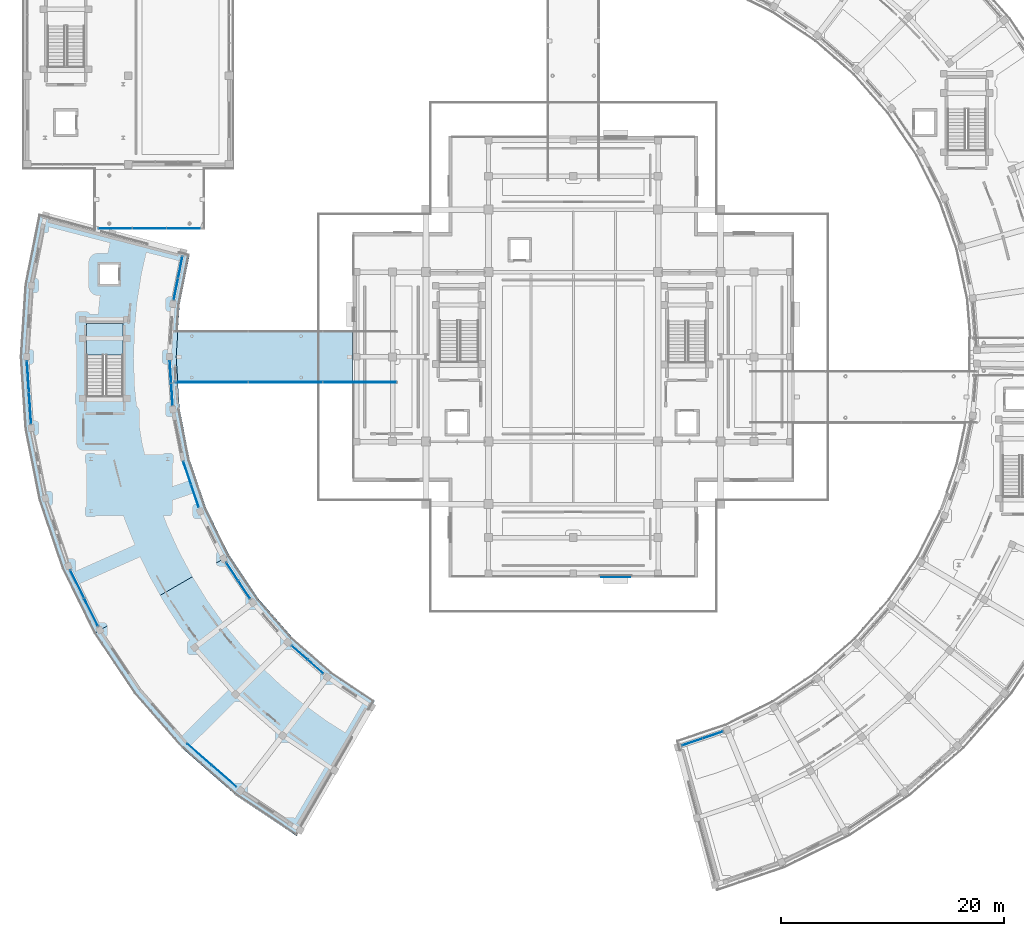
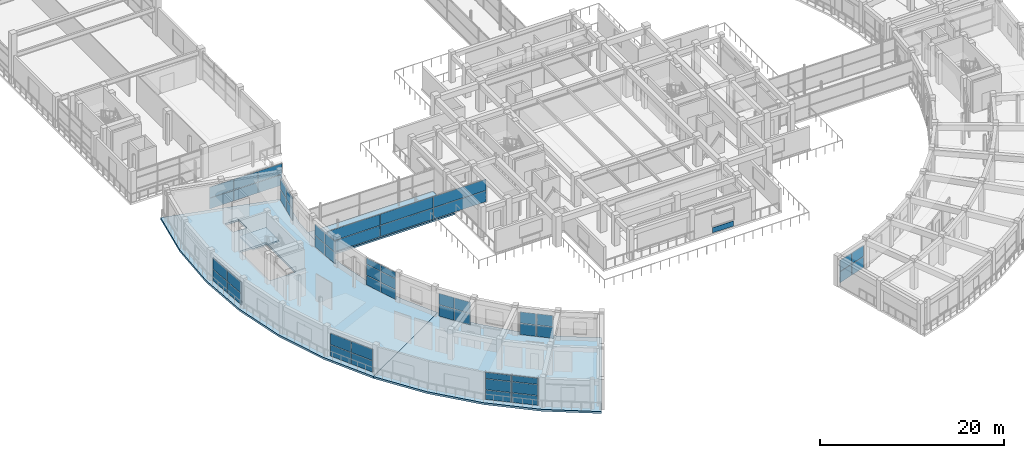
# One storey, part 38 of 72: 53 plates, 4 slabs, 12 elements without a shape of their own.
"""IFC4 building model written with IfcOpenShell, lengths in metres."""

from ifc_helpers import new_model, si_unit, direction, frame, origin, origin_2d, place, context, subcontext, project, spatial, polyline, rectangle, outline, extrude, material, layer, layer_set, type_object, element, aggregate, save


model = new_model("IFC4")

# Units and contexts
model_context = context("Model", 3, precision=1e-05, world=origin(), true_north=direction((0.0, 1.0)))
body_context = subcontext(model_context, "Body", "Model", "MODEL_VIEW")
ifc_project = project(units=[si_unit("LENGTHUNIT", "METRE"), si_unit("AREAUNIT", "SQUARE_METRE"), si_unit("VOLUMEUNIT", "CUBIC_METRE"), si_unit("PLANEANGLEUNIT", "RADIAN"), si_unit("MASSUNIT", "GRAM", prefix="KILO")], contexts=[model_context])

# Site, building, storey
site_placement = place(None, origin())
site = spatial("IfcSite", under=ifc_project, at=site_placement, CompositionType="ELEMENT")
building_placement = place(site_placement, origin())
building = spatial("IfcBuilding", under=site, at=building_placement, Name="Saryqyr Civic Hall", CompositionType="ELEMENT")
storey_placement = place(building_placement, frame((0.0, 0.0, 17.25)))
storey = spatial("IfcBuildingStorey", under=building, at=storey_placement, Name="L04", CompositionType="ELEMENT", Elevation=17.25)

# Curtain wall, plates
ifc_material_1 = material(Name="Anodised aluminium and triple low-E glass", Category="aluminium")
curtain_wall_type_1 = type_object("IfcCurtainWallType", Name="ENV-CW-STD-13", PredefinedType="NOTDEFINED", material=ifc_material_1)
curtain_wall_1_placement = place(storey_placement, origin())
curtain_wall_1 = element("IfcCurtainWall", 1, at=curtain_wall_1_placement, inside=storey, type_object=curtain_wall_type_1, Name="Curtain wall V4-CWI-L04-00", PredefinedType="NOTDEFINED")
ifc_material_2 = material(Name="Triple low-E insulated glazing", Category="glass")
ifc_layer_1 = layer(ifc_material_2, 0.053955078125, Name="Triple low-E insulated glazing")
ifc_layer_set_1 = layer_set([ifc_layer_1], Name="Triple low-E insulated glazing")
plate_type_1 = type_object("IfcPlateType", Name="ENV-CW-PNL-38", PredefinedType="CURTAIN_PANEL", material=ifc_layer_set_1)
plate_1_placement = place(storey_placement, frame((21.765869140625, 92.0234375, 0.06005859375), z_axis=(0.0, 0.0, 1.0), x_axis=(-0.195107360697, -0.980781891045, 0.0)))
plate_1 = element("IfcPlate", 2, at=plate_1_placement, type_object=plate_type_1, Name="CW-13 panel 1.1", PredefinedType="CURTAIN_PANEL", context=body_context, shape_type="SweptSolid", body=[
    extrude(rectangle(XDim=1.930908203125, YDim=0.053955078125, at=origin_2d()), origin(), (0.0, 0.0, 1.0), 1.47705078125),
])
plate_2_placement = place(storey_placement, frame((21.765869140625, 92.0234375, 1.596923828125), z_axis=(0.0, 0.0, 1.0), x_axis=(-0.195107360697, -0.980781891045, 0.0)))
plate_2 = element("IfcPlate", 3, at=plate_2_placement, type_object=plate_type_1, Name="CW-13 panel 1.2", PredefinedType="CURTAIN_PANEL", context=body_context, shape_type="SweptSolid", body=[
    extrude(rectangle(XDim=1.930908203125, YDim=0.053955078125, at=origin_2d()), origin(), (0.0, 0.0, 1.0), 1.47802734375),
])
plate_3_placement = place(storey_placement, frame((21.37744140625, 90.07080078125, 0.06005859375), z_axis=(0.0, 0.0, 1.0), x_axis=(-0.195107360697, -0.980781891045, 0.0)))
plate_3 = element("IfcPlate", 4, at=plate_3_placement, type_object=plate_type_1, Name="CW-13 panel 2.1", PredefinedType="CURTAIN_PANEL", context=body_context, shape_type="SweptSolid", body=[
    extrude(rectangle(XDim=1.930908203125, YDim=0.053955078125, at=origin_2d()), origin(), (0.0, 0.0, 1.0), 1.47705078125),
])
plate_4_placement = place(storey_placement, frame((21.37744140625, 90.07080078125, 1.596923828125), z_axis=(0.0, 0.0, 1.0), x_axis=(-0.195107360697, -0.980781891045, 0.0)))
plate_4 = element("IfcPlate", 5, at=plate_4_placement, type_object=plate_type_1, Name="CW-13 panel 2.2", PredefinedType="CURTAIN_PANEL", context=body_context, shape_type="SweptSolid", body=[
    extrude(rectangle(XDim=1.930908203125, YDim=0.053955078125, at=origin_2d()), origin(), (0.0, 0.0, 1.0), 1.47802734375),
])
aggregate(curtain_wall_1, [plate_1, plate_2, plate_3, plate_4])

curtain_wall_type_2 = type_object("IfcCurtainWallType", Name="ENV-CW-STD-31", PredefinedType="NOTDEFINED", material=ifc_material_1)
curtain_wall_2_placement = place(storey_placement, origin())
curtain_wall_2 = element("IfcCurtainWall", 6, at=curtain_wall_2_placement, inside=storey, type_object=curtain_wall_type_2, Name="Curtain wall V4-CWO-L04-02", PredefinedType="NOTDEFINED")
plate_5_placement = place(storey_placement, frame((8.30224609375, 79.38818359375, 0.06005859375), z_axis=(0.0, 0.0, 1.0), x_axis=(-0.06539733631, 0.99785930291, 0.0)))
plate_5 = element("IfcPlate", 7, at=plate_5_placement, type_object=plate_type_1, Name="CW-31 panel 1.1", PredefinedType="CURTAIN_PANEL", context=body_context, shape_type="SweptSolid", body=[
    extrude(rectangle(XDim=2.77392578125, YDim=0.053955078125, at=origin_2d()), origin(), (0.0, 0.0, 1.0), 1.47705078125),
])
plate_6_placement = place(storey_placement, frame((8.30224609375, 79.38818359375, 1.596923828125), z_axis=(0.0, 0.0, 1.0), x_axis=(-0.06539733631, 0.99785930291, 0.0)))
plate_6 = element("IfcPlate", 8, at=plate_6_placement, type_object=plate_type_1, Name="CW-31 panel 1.2", PredefinedType="CURTAIN_PANEL", context=body_context, shape_type="SweptSolid", body=[
    extrude(rectangle(XDim=2.77392578125, YDim=0.053955078125, at=origin_2d()), origin(), (0.0, 0.0, 1.0), 1.47802734375),
])
plate_7_placement = place(storey_placement, frame((8.116943359375, 82.216064453125, 0.06005859375), z_axis=(0.0, 0.0, 1.0), x_axis=(-0.06539733631, 0.99785930291, 0.0)))
plate_7 = element("IfcPlate", 9, at=plate_7_placement, type_object=plate_type_1, Name="CW-31 panel 2.1", PredefinedType="CURTAIN_PANEL", context=body_context, shape_type="SweptSolid", body=[
    extrude(rectangle(XDim=2.77392578125, YDim=0.053955078125, at=origin_2d()), origin(), (0.0, 0.0, 1.0), 1.47705078125),
])
plate_8_placement = place(storey_placement, frame((8.116943359375, 82.216064453125, 1.596923828125), z_axis=(0.0, 0.0, 1.0), x_axis=(-0.06539733631, 0.99785930291, 0.0)))
plate_8 = element("IfcPlate", 10, at=plate_8_placement, type_object=plate_type_1, Name="CW-31 panel 2.2", PredefinedType="CURTAIN_PANEL", context=body_context, shape_type="SweptSolid", body=[
    extrude(rectangle(XDim=2.77392578125, YDim=0.053955078125, at=origin_2d()), origin(), (0.0, 0.0, 1.0), 1.47802734375),
])
aggregate(curtain_wall_2, [plate_5, plate_6, plate_7, plate_8])

curtain_wall_3_placement = place(storey_placement, origin())
curtain_wall_3 = element("IfcCurtainWall", 11, at=curtain_wall_3_placement, inside=storey, type_object=curtain_wall_type_1, Name="Curtain wall V4-CWI-L04-02", PredefinedType="NOTDEFINED")
plate_9_placement = place(storey_placement, frame((20.8896484375, 82.6337890625, 0.06005859375), z_axis=(0.0, 0.0, 1.0), x_axis=(0.065397404214, -0.997859298459, 0.0)))
plate_9 = element("IfcPlate", 12, at=plate_9_placement, type_object=plate_type_1, Name="CW-13 panel 1.1", PredefinedType="CURTAIN_PANEL", context=body_context, shape_type="SweptSolid", body=[
    extrude(rectangle(XDim=1.936767578125, YDim=0.053955078125, at=origin_2d()), origin(), (0.0, 0.0, 1.0), 1.47705078125),
])
plate_10_placement = place(storey_placement, frame((20.8896484375, 82.6337890625, 1.596923828125), z_axis=(0.0, 0.0, 1.0), x_axis=(0.065397404214, -0.997859298459, 0.0)))
plate_10 = element("IfcPlate", 13, at=plate_10_placement, type_object=plate_type_1, Name="CW-13 panel 1.2", PredefinedType="CURTAIN_PANEL", context=body_context, shape_type="SweptSolid", body=[
    extrude(rectangle(XDim=1.936767578125, YDim=0.053955078125, at=origin_2d()), origin(), (0.0, 0.0, 1.0), 1.47802734375),
])
plate_11_placement = place(storey_placement, frame((21.020263671875, 80.64111328125, 0.06005859375), z_axis=(0.0, 0.0, 1.0), x_axis=(0.065397404214, -0.997859298459, 0.0)))
plate_11 = element("IfcPlate", 14, at=plate_11_placement, type_object=plate_type_1, Name="CW-13 panel 2.1", PredefinedType="CURTAIN_PANEL", context=body_context, shape_type="SweptSolid", body=[
    extrude(rectangle(XDim=1.936767578125, YDim=0.053955078125, at=origin_2d()), origin(), (0.0, 0.0, 1.0), 1.47705078125),
])
plate_12_placement = place(storey_placement, frame((21.020263671875, 80.64111328125, 1.596923828125), z_axis=(0.0, 0.0, 1.0), x_axis=(0.065397404214, -0.997859298459, 0.0)))
plate_12 = element("IfcPlate", 15, at=plate_12_placement, type_object=plate_type_1, Name="CW-13 panel 2.2", PredefinedType="CURTAIN_PANEL", context=body_context, shape_type="SweptSolid", body=[
    extrude(rectangle(XDim=1.936767578125, YDim=0.053955078125, at=origin_2d()), origin(), (0.0, 0.0, 1.0), 1.47802734375),
])
aggregate(curtain_wall_3, [plate_9, plate_10, plate_11, plate_12])

curtain_wall_type_3 = type_object("IfcCurtainWallType", Name="ENV-CW-STD-24", PredefinedType="NOTDEFINED", material=ifc_material_1)
curtain_wall_4_placement = place(storey_placement, origin())
curtain_wall_4 = element("IfcCurtainWall", 16, at=curtain_wall_4_placement, inside=storey, type_object=curtain_wall_type_3, Name="Curtain wall V4-CWI-L04-04", PredefinedType="NOTDEFINED")
plate_13_placement = place(storey_placement, frame((22.389892578125, 73.58056640625, 0.06005859375), z_axis=(0.0, 0.0, 1.0), x_axis=(0.321446738583, -0.946927660518, 0.0)))
plate_13 = element("IfcPlate", 17, at=plate_13_placement, type_object=plate_type_1, Name="CW-24 panel 1.1", PredefinedType="CURTAIN_PANEL", context=body_context, shape_type="SweptSolid", body=[
    extrude(rectangle(XDim=2.09814453125, YDim=0.053955078125, at=origin_2d()), origin(), (0.0, 0.0, 1.0), 1.241943359375),
])
plate_14_placement = place(storey_placement, frame((22.389892578125, 73.58056640625, 1.362060546875), z_axis=(0.0, 0.0, 1.0), x_axis=(0.321446738583, -0.946927660518, 0.0)))
plate_14 = element("IfcPlate", 18, at=plate_14_placement, type_object=plate_type_1, Name="CW-24 panel 1.2", PredefinedType="CURTAIN_PANEL", context=body_context, shape_type="SweptSolid", body=[
    extrude(rectangle(XDim=2.09814453125, YDim=0.053955078125, at=origin_2d()), origin(), (0.0, 0.0, 1.0), 1.419921875),
])
plate_15_placement = place(storey_placement, frame((22.389892578125, 73.58056640625, 2.841796875), z_axis=(0.0, 0.0, 1.0), x_axis=(0.321446738583, -0.946927660518, 0.0)))
plate_15 = element("IfcPlate", 19, at=plate_15_placement, type_object=plate_type_1, Name="CW-24 panel 1.3", PredefinedType="CURTAIN_PANEL", context=body_context, shape_type="SweptSolid", body=[
    extrude(rectangle(XDim=2.09814453125, YDim=0.053955078125, at=origin_2d()), origin(), (0.0, 0.0, 1.0), 0.798095703125),
])
plate_16_placement = place(storey_placement, frame((23.083740234375, 71.537109375, 0.06005859375), z_axis=(0.0, 0.0, 1.0), x_axis=(0.321446738583, -0.946927660518, 0.0)))
plate_16 = element("IfcPlate", 20, at=plate_16_placement, type_object=plate_type_1, Name="CW-24 panel 2.1", PredefinedType="CURTAIN_PANEL", context=body_context, shape_type="SweptSolid", body=[
    extrude(rectangle(XDim=2.09814453125, YDim=0.053955078125, at=origin_2d()), origin(), (0.0, 0.0, 1.0), 1.241943359375),
])
plate_17_placement = place(storey_placement, frame((23.083740234375, 71.537109375, 1.362060546875), z_axis=(0.0, 0.0, 1.0), x_axis=(0.321446738583, -0.946927660518, 0.0)))
plate_17 = element("IfcPlate", 21, at=plate_17_placement, type_object=plate_type_1, Name="CW-24 panel 2.2", PredefinedType="CURTAIN_PANEL", context=body_context, shape_type="SweptSolid", body=[
    extrude(rectangle(XDim=2.09814453125, YDim=0.053955078125, at=origin_2d()), origin(), (0.0, 0.0, 1.0), 1.419921875),
])
plate_18_placement = place(storey_placement, frame((23.083740234375, 71.537109375, 2.841796875), z_axis=(0.0, 0.0, 1.0), x_axis=(0.321446738583, -0.946927660518, 0.0)))
plate_18 = element("IfcPlate", 22, at=plate_18_placement, type_object=plate_type_1, Name="CW-24 panel 2.3", PredefinedType="CURTAIN_PANEL", context=body_context, shape_type="SweptSolid", body=[
    extrude(rectangle(XDim=2.09814453125, YDim=0.053955078125, at=origin_2d()), origin(), (0.0, 0.0, 1.0), 0.798095703125),
])
aggregate(curtain_wall_4, [plate_13, plate_14, plate_15, plate_16, plate_17, plate_18])

curtain_wall_type_4 = type_object("IfcCurtainWallType", Name="ENV-CW-STD-14", PredefinedType="NOTDEFINED", material=ifc_material_1)
curtain_wall_5_placement = place(storey_placement, origin())
curtain_wall_5 = element("IfcCurtainWall", 23, at=curtain_wall_5_placement, inside=storey, type_object=curtain_wall_type_4, Name="Curtain wall V4-CWO-L04-05", PredefinedType="NOTDEFINED")
plate_19_placement = place(storey_placement, frame((13.765625, 61.12060546875, 0.06005859375), z_axis=(0.0, 0.0, 1.0), x_axis=(-0.442287609634, 0.896873274417, 0.0)))
plate_19 = element("IfcPlate", 24, at=plate_19_placement, type_object=plate_type_1, Name="CW-14 panel 1.1", PredefinedType="CURTAIN_PANEL", context=body_context, shape_type="SweptSolid", body=[
    extrude(rectangle(XDim=2.735595703125, YDim=0.053955078125, at=origin_2d()), origin(), (0.0, 0.0, 1.0), 1.47705078125),
])
plate_20_placement = place(storey_placement, frame((13.765625, 61.12060546875, 1.596923828125), z_axis=(0.0, 0.0, 1.0), x_axis=(-0.442287609634, 0.896873274417, 0.0)))
plate_20 = element("IfcPlate", 25, at=plate_20_placement, type_object=plate_type_1, Name="CW-14 panel 1.2", PredefinedType="CURTAIN_PANEL", context=body_context, shape_type="SweptSolid", body=[
    extrude(rectangle(XDim=2.735595703125, YDim=0.053955078125, at=origin_2d()), origin(), (0.0, 0.0, 1.0), 1.47802734375),
])
plate_21_placement = place(storey_placement, frame((12.529052734375, 63.6279296875, 0.06005859375), z_axis=(0.0, 0.0, 1.0), x_axis=(-0.442287609634, 0.896873274417, 0.0)))
plate_21 = element("IfcPlate", 26, at=plate_21_placement, type_object=plate_type_1, Name="CW-14 panel 2.1", PredefinedType="CURTAIN_PANEL", context=body_context, shape_type="SweptSolid", body=[
    extrude(rectangle(XDim=2.735595703125, YDim=0.053955078125, at=origin_2d()), origin(), (0.0, 0.0, 1.0), 1.47705078125),
])
plate_22_placement = place(storey_placement, frame((12.529052734375, 63.6279296875, 1.596923828125), z_axis=(0.0, 0.0, 1.0), x_axis=(-0.442287609634, 0.896873274417, 0.0)))
plate_22 = element("IfcPlate", 27, at=plate_22_placement, type_object=plate_type_1, Name="CW-14 panel 2.2", PredefinedType="CURTAIN_PANEL", context=body_context, shape_type="SweptSolid", body=[
    extrude(rectangle(XDim=2.735595703125, YDim=0.053955078125, at=origin_2d()), origin(), (0.0, 0.0, 1.0), 1.47802734375),
])
aggregate(curtain_wall_5, [plate_19, plate_20, plate_21, plate_22])

curtain_wall_type_5 = type_object("IfcCurtainWallType", Name="ENV-CW-STD-17", PredefinedType="NOTDEFINED", material=ifc_material_1)
curtain_wall_6_placement = place(storey_placement, origin())
curtain_wall_6 = element("IfcCurtainWall", 28, at=curtain_wall_6_placement, inside=storey, type_object=curtain_wall_type_5, Name="Curtain wall V4-CWI-L04-06", PredefinedType="NOTDEFINED")
plate_23_placement = place(storey_placement, frame((26.429443359375, 64.733154296875, 0.06005859375), z_axis=(0.0, 0.0, 1.0), x_axis=(0.555554091972, -0.831480397179, 0.0)))
plate_23 = element("IfcPlate", 29, at=plate_23_placement, type_object=plate_type_1, Name="CW-17 panel 1.1", PredefinedType="CURTAIN_PANEL", context=body_context, shape_type="SweptSolid", body=[
    extrude(rectangle(XDim=1.86865234375, YDim=0.053955078125, at=origin_2d()), origin(), (0.0, 0.0, 1.0), 1.47705078125),
])
plate_24_placement = place(storey_placement, frame((26.429443359375, 64.733154296875, 1.596923828125), z_axis=(0.0, 0.0, 1.0), x_axis=(0.555554091972, -0.831480397179, 0.0)))
plate_24 = element("IfcPlate", 30, at=plate_24_placement, type_object=plate_type_1, Name="CW-17 panel 1.2", PredefinedType="CURTAIN_PANEL", context=body_context, shape_type="SweptSolid", body=[
    extrude(rectangle(XDim=1.86865234375, YDim=0.053955078125, at=origin_2d()), origin(), (0.0, 0.0, 1.0), 1.47802734375),
])
plate_25_placement = place(storey_placement, frame((27.5009765625, 63.129638671875, 0.06005859375), z_axis=(0.0, 0.0, 1.0), x_axis=(0.555554091972, -0.831480397179, 0.0)))
plate_25 = element("IfcPlate", 31, at=plate_25_placement, type_object=plate_type_1, Name="CW-17 panel 2.1", PredefinedType="CURTAIN_PANEL", context=body_context, shape_type="SweptSolid", body=[
    extrude(rectangle(XDim=1.86865234375, YDim=0.053955078125, at=origin_2d()), origin(), (0.0, 0.0, 1.0), 1.47705078125),
])
plate_26_placement = place(storey_placement, frame((27.5009765625, 63.129638671875, 1.596923828125), z_axis=(0.0, 0.0, 1.0), x_axis=(0.555554091972, -0.831480397179, 0.0)))
plate_26 = element("IfcPlate", 32, at=plate_26_placement, type_object=plate_type_1, Name="CW-17 panel 2.2", PredefinedType="CURTAIN_PANEL", context=body_context, shape_type="SweptSolid", body=[
    extrude(rectangle(XDim=1.86865234375, YDim=0.053955078125, at=origin_2d()), origin(), (0.0, 0.0, 1.0), 1.47802734375),
])
aggregate(curtain_wall_6, [plate_23, plate_24, plate_25, plate_26])

curtain_wall_type_6 = type_object("IfcCurtainWallType", Name="ENV-CW-STD-29", PredefinedType="NOTDEFINED", material=ifc_material_1)
curtain_wall_7_placement = place(storey_placement, origin())
curtain_wall_7 = element("IfcCurtainWall", 33, at=curtain_wall_7_placement, inside=storey, type_object=curtain_wall_type_6, Name="Curtain wall V4-CWO-L04-08", PredefinedType="NOTDEFINED")
plate_27_placement = place(storey_placement, frame((25.69970703125, 46.415771484375, 0.06005859375), z_axis=(0.0, 0.0, 1.0), x_axis=(-0.751838965364, 0.659346775347, 0.0)))
plate_27 = element("IfcPlate", 34, at=plate_27_placement, type_object=plate_type_1, Name="CW-29 panel 1.1", PredefinedType="CURTAIN_PANEL", context=body_context, shape_type="SweptSolid", body=[
    extrude(rectangle(XDim=2.888671875, YDim=0.053955078125, at=origin_2d()), origin(), (0.0, 0.0, 1.0), 1.241943359375),
])
plate_28_placement = place(storey_placement, frame((25.69970703125, 46.415771484375, 1.362060546875), z_axis=(0.0, 0.0, 1.0), x_axis=(-0.751838965364, 0.659346775347, 0.0)))
plate_28 = element("IfcPlate", 35, at=plate_28_placement, type_object=plate_type_1, Name="CW-29 panel 1.2", PredefinedType="CURTAIN_PANEL", context=body_context, shape_type="SweptSolid", body=[
    extrude(rectangle(XDim=2.888671875, YDim=0.053955078125, at=origin_2d()), origin(), (0.0, 0.0, 1.0), 1.419921875),
])
plate_29_placement = place(storey_placement, frame((25.69970703125, 46.415771484375, 2.841796875), z_axis=(0.0, 0.0, 1.0), x_axis=(-0.751838965364, 0.659346775347, 0.0)))
plate_29 = element("IfcPlate", 36, at=plate_29_placement, type_object=plate_type_1, Name="CW-29 panel 1.3", PredefinedType="CURTAIN_PANEL", context=body_context, shape_type="SweptSolid", body=[
    extrude(rectangle(XDim=2.888671875, YDim=0.053955078125, at=origin_2d()), origin(), (0.0, 0.0, 1.0), 0.798095703125),
])
plate_30_placement = place(storey_placement, frame((23.48291015625, 48.35986328125, 0.06005859375), z_axis=(0.0, 0.0, 1.0), x_axis=(-0.751838965364, 0.659346775347, 0.0)))
plate_30 = element("IfcPlate", 37, at=plate_30_placement, type_object=plate_type_1, Name="CW-29 panel 2.1", PredefinedType="CURTAIN_PANEL", context=body_context, shape_type="SweptSolid", body=[
    extrude(rectangle(XDim=2.888671875, YDim=0.053955078125, at=origin_2d()), origin(), (0.0, 0.0, 1.0), 1.241943359375),
])
plate_31_placement = place(storey_placement, frame((23.48291015625, 48.35986328125, 1.362060546875), z_axis=(0.0, 0.0, 1.0), x_axis=(-0.751838965364, 0.659346775347, 0.0)))
plate_31 = element("IfcPlate", 38, at=plate_31_placement, type_object=plate_type_1, Name="CW-29 panel 2.2", PredefinedType="CURTAIN_PANEL", context=body_context, shape_type="SweptSolid", body=[
    extrude(rectangle(XDim=2.888671875, YDim=0.053955078125, at=origin_2d()), origin(), (0.0, 0.0, 1.0), 1.419921875),
])
plate_32_placement = place(storey_placement, frame((23.48291015625, 48.35986328125, 2.841796875), z_axis=(0.0, 0.0, 1.0), x_axis=(-0.751838965364, 0.659346775347, 0.0)))
plate_32 = element("IfcPlate", 39, at=plate_32_placement, type_object=plate_type_1, Name="CW-29 panel 2.3", PredefinedType="CURTAIN_PANEL", context=body_context, shape_type="SweptSolid", body=[
    extrude(rectangle(XDim=2.888671875, YDim=0.053955078125, at=origin_2d()), origin(), (0.0, 0.0, 1.0), 0.798095703125),
])
aggregate(curtain_wall_7, [plate_27, plate_28, plate_29, plate_30, plate_31, plate_32])

curtain_wall_type_7 = type_object("IfcCurtainWallType", Name="ENV-CW-STD-20", PredefinedType="NOTDEFINED", material=ifc_material_1)
curtain_wall_8_placement = place(storey_placement, origin())
curtain_wall_8 = element("IfcCurtainWall", 40, at=curtain_wall_8_placement, inside=storey, type_object=curtain_wall_type_7, Name="Curtain wall V4-CWI-L04-08", PredefinedType="NOTDEFINED")
plate_33_placement = place(storey_placement, frame((32.47412109375, 57.463134765625, 0.06005859375), z_axis=(0.0, 0.0, 1.0), x_axis=(0.751850148543, -0.65933402319, 0.0)))
plate_33 = element("IfcPlate", 41, at=plate_33_placement, type_object=plate_type_1, Name="CW-20 panel 1.1", PredefinedType="CURTAIN_PANEL", context=body_context, shape_type="SweptSolid", body=[
    extrude(rectangle(XDim=1.825439453125, YDim=0.053955078125, at=origin_2d()), origin(), (0.0, 0.0, 1.0), 1.47705078125),
])
plate_34_placement = place(storey_placement, frame((32.47412109375, 57.463134765625, 1.596923828125), z_axis=(0.0, 0.0, 1.0), x_axis=(0.751850148543, -0.65933402319, 0.0)))
plate_34 = element("IfcPlate", 42, at=plate_34_placement, type_object=plate_type_1, Name="CW-20 panel 1.2", PredefinedType="CURTAIN_PANEL", context=body_context, shape_type="SweptSolid", body=[
    extrude(rectangle(XDim=1.825439453125, YDim=0.053955078125, at=origin_2d()), origin(), (0.0, 0.0, 1.0), 1.47802734375),
])
plate_35_placement = place(storey_placement, frame((33.8916015625, 56.22021484375, 0.06005859375), z_axis=(0.0, 0.0, 1.0), x_axis=(0.751850148543, -0.65933402319, 0.0)))
plate_35 = element("IfcPlate", 43, at=plate_35_placement, type_object=plate_type_1, Name="CW-20 panel 2.1", PredefinedType="CURTAIN_PANEL", context=body_context, shape_type="SweptSolid", body=[
    extrude(rectangle(XDim=1.825439453125, YDim=0.053955078125, at=origin_2d()), origin(), (0.0, 0.0, 1.0), 1.47705078125),
])
plate_36_placement = place(storey_placement, frame((33.8916015625, 56.22021484375, 1.596923828125), z_axis=(0.0, 0.0, 1.0), x_axis=(0.751850148543, -0.65933402319, 0.0)))
plate_36 = element("IfcPlate", 44, at=plate_36_placement, type_object=plate_type_1, Name="CW-20 panel 2.2", PredefinedType="CURTAIN_PANEL", context=body_context, shape_type="SweptSolid", body=[
    extrude(rectangle(XDim=1.825439453125, YDim=0.053955078125, at=origin_2d()), origin(), (0.0, 0.0, 1.0), 1.47802734375),
])
aggregate(curtain_wall_8, [plate_33, plate_34, plate_35, plate_36])

curtain_wall_9_placement = place(storey_placement, origin())
curtain_wall_9 = element("IfcCurtainWall", 45, at=curtain_wall_9_placement, inside=storey, type_object=curtain_wall_type_1, Name="Curtain wall V5-CWI-L04-00", PredefinedType="NOTDEFINED")
plate_37_placement = place(storey_placement, frame((67.66064453125, 49.470703125, 0.06005859375), z_axis=(0.0, 0.0, 1.0), x_axis=(0.947202392558, 0.320636285428, 0.0)))
plate_37 = element("IfcPlate", 46, at=plate_37_placement, type_object=plate_type_1, Name="CW-13 panel 1.1", PredefinedType="CURTAIN_PANEL", context=body_context, shape_type="SweptSolid", body=[
    extrude(rectangle(XDim=1.888671875, YDim=0.053955078125, at=origin_2d()), origin(), (0.0, 0.0, 1.0), 1.452880859375),
])
plate_38_placement = place(storey_placement, frame((67.66064453125, 49.470703125, 1.5732421875), z_axis=(0.0, 0.0, 1.0), x_axis=(0.947202392558, 0.320636285428, 0.0)))
plate_38 = element("IfcPlate", 47, at=plate_38_placement, type_object=plate_type_1, Name="CW-13 panel 1.2", PredefinedType="CURTAIN_PANEL", context=body_context, shape_type="SweptSolid", body=[
    extrude(rectangle(XDim=1.888671875, YDim=0.053955078125, at=origin_2d()), origin(), (0.0, 0.0, 1.0), 1.451904296875),
])
plate_39_placement = place(storey_placement, frame((69.50634765625, 50.095458984375, 0.06005859375), z_axis=(0.0, 0.0, 1.0), x_axis=(0.947202392558, 0.320636285428, 0.0)))
plate_39 = element("IfcPlate", 48, at=plate_39_placement, type_object=plate_type_1, Name="CW-13 panel 2.1", PredefinedType="CURTAIN_PANEL", context=body_context, shape_type="SweptSolid", body=[
    extrude(rectangle(XDim=1.888671875, YDim=0.053955078125, at=origin_2d()), origin(), (0.0, 0.0, 1.0), 1.452880859375),
])
plate_40_placement = place(storey_placement, frame((69.50634765625, 50.095458984375, 1.5732421875), z_axis=(0.0, 0.0, 1.0), x_axis=(0.947202392558, 0.320636285428, 0.0)))
plate_40 = element("IfcPlate", 49, at=plate_40_placement, type_object=plate_type_1, Name="CW-13 panel 2.2", PredefinedType="CURTAIN_PANEL", context=body_context, shape_type="SweptSolid", body=[
    extrude(rectangle(XDim=1.888671875, YDim=0.053955078125, at=origin_2d()), origin(), (0.0, 0.0, 1.0), 1.451904296875),
])
aggregate(curtain_wall_9, [plate_37, plate_38, plate_39, plate_40])

curtain_wall_type_8 = type_object("IfcCurtainWallType", Name="ENV-CW-STD-84", PredefinedType="NOTDEFINED", material=ifc_material_1)
curtain_wall_10_placement = place(storey_placement, origin())
curtain_wall_10 = element("IfcCurtainWall", 50, at=curtain_wall_10_placement, inside=storey, type_object=curtain_wall_type_8, Name="Curtain wall BR-NW-CW1-L04", PredefinedType="NOTDEFINED")
plate_41_placement = place(storey_placement, frame((22.0517578125, 95.52001953125, 0.06005859375), z_axis=(0.0, 0.0, 1.0), x_axis=(-1.0, 0.0, 0.0)))
plate_41 = element("IfcPlate", 51, at=plate_41_placement, type_object=plate_type_1, Name="CW-84 panel 1.1", PredefinedType="CURTAIN_PANEL", context=body_context, shape_type="SweptSolid", body=[
    extrude(rectangle(XDim=2.9765625, YDim=0.053955078125, at=origin_2d()), origin(), (0.0, 0.0, 1.0), 1.402099609375),
])
plate_42_placement = place(storey_placement, frame((22.0517578125, 95.52001953125, 1.52197265625), z_axis=(0.0, 0.0, 1.0), x_axis=(-1.0, 0.0, 0.0)))
plate_42 = element("IfcPlate", 52, at=plate_42_placement, type_object=plate_type_1, Name="CW-84 panel 1.2", PredefinedType="CURTAIN_PANEL", context=body_context, shape_type="SweptSolid", body=[
    extrude(rectangle(XDim=2.9765625, YDim=0.053955078125, at=origin_2d()), origin(), (0.0, 0.0, 1.0), 1.403076171875),
])
plate_43_placement = place(storey_placement, frame((19.0, 95.52001953125, 0.06005859375), z_axis=(0.0, 0.0, 1.0), x_axis=(-1.0, 0.0, 0.0)))
plate_43 = element("IfcPlate", 53, at=plate_43_placement, type_object=plate_type_1, Name="CW-84 panel 2.1", PredefinedType="CURTAIN_PANEL", context=body_context, shape_type="SweptSolid", body=[
    extrude(rectangle(XDim=3.006591796875, YDim=0.053955078125, at=origin_2d()), origin(), (0.0, 0.0, 1.0), 1.402099609375),
])
plate_44_placement = place(storey_placement, frame((19.0, 95.52001953125, 1.52197265625), z_axis=(0.0, 0.0, 1.0), x_axis=(-1.0, 0.0, 0.0)))
plate_44 = element("IfcPlate", 54, at=plate_44_placement, type_object=plate_type_1, Name="CW-84 panel 2.2", PredefinedType="CURTAIN_PANEL", context=body_context, shape_type="SweptSolid", body=[
    extrude(rectangle(XDim=3.006591796875, YDim=0.053955078125, at=origin_2d()), origin(), (0.0, 0.0, 1.0), 1.403076171875),
])
plate_45_placement = place(storey_placement, frame((15.9482421875, 95.52001953125, 0.06005859375), z_axis=(0.0, 0.0, 1.0), x_axis=(-1.0, 0.0, 0.0)))
plate_45 = element("IfcPlate", 55, at=plate_45_placement, type_object=plate_type_1, Name="CW-84 panel 3.1", PredefinedType="CURTAIN_PANEL", context=body_context, shape_type="SweptSolid", body=[
    extrude(rectangle(XDim=2.9765625, YDim=0.053955078125, at=origin_2d()), origin(), (0.0, 0.0, 1.0), 1.402099609375),
])
plate_46_placement = place(storey_placement, frame((15.9482421875, 95.52001953125, 1.52197265625), z_axis=(0.0, 0.0, 1.0), x_axis=(-1.0, 0.0, 0.0)))
plate_46 = element("IfcPlate", 56, at=plate_46_placement, type_object=plate_type_1, Name="CW-84 panel 3.2", PredefinedType="CURTAIN_PANEL", context=body_context, shape_type="SweptSolid", body=[
    extrude(rectangle(XDim=2.9765625, YDim=0.053955078125, at=origin_2d()), origin(), (0.0, 0.0, 1.0), 1.403076171875),
])
aggregate(curtain_wall_10, [plate_41, plate_42, plate_43, plate_44, plate_45, plate_46])

curtain_wall_type_9 = type_object("IfcCurtainWallType", Name="ENV-CW-STD-86", PredefinedType="NOTDEFINED", material=ifc_material_1)
curtain_wall_11_placement = place(storey_placement, origin())
curtain_wall_11 = element("IfcCurtainWall", 57, at=curtain_wall_11_placement, inside=storey, type_object=curtain_wall_type_9, Name="Curtain wall BR-CW-CW1-L04", PredefinedType="NOTDEFINED")
plate_47_placement = place(storey_placement, frame((37.8515625, 81.719970703125, 0.06005859375), z_axis=(0.0, 0.0, 1.0), x_axis=(-1.0, 0.0, 0.0)))
plate_47 = element("IfcPlate", 58, at=plate_47_placement, type_object=plate_type_1, Name="CW-86 panel 1.1", PredefinedType="CURTAIN_PANEL", context=body_context, shape_type="SweptSolid", body=[
    extrude(rectangle(XDim=6.57666015625, YDim=0.053955078125, at=origin_2d()), origin(), (0.0, 0.0, 1.0), 1.452880859375),
])
plate_48_placement = place(storey_placement, frame((37.8515625, 81.719970703125, 1.5732421875), z_axis=(0.0, 0.0, 1.0), x_axis=(-1.0, 0.0, 0.0)))
plate_48 = element("IfcPlate", 59, at=plate_48_placement, type_object=plate_type_1, Name="CW-86 panel 1.2", PredefinedType="CURTAIN_PANEL", context=body_context, shape_type="SweptSolid", body=[
    extrude(rectangle(XDim=6.57666015625, YDim=0.053955078125, at=origin_2d()), origin(), (0.0, 0.0, 1.0), 1.451904296875),
])
plate_49_placement = place(storey_placement, frame((31.199951171875, 81.719970703125, 0.06005859375), z_axis=(0.0, 0.0, 1.0), x_axis=(-1.0, 0.0, 0.0)))
plate_49 = element("IfcPlate", 60, at=plate_49_placement, type_object=plate_type_1, Name="CW-86 panel 2.1", PredefinedType="CURTAIN_PANEL", context=body_context, shape_type="SweptSolid", body=[
    extrude(rectangle(XDim=6.606689453125, YDim=0.053955078125, at=origin_2d()), origin(), (0.0, 0.0, 1.0), 1.452880859375),
])
plate_50_placement = place(storey_placement, frame((31.199951171875, 81.719970703125, 1.5732421875), z_axis=(0.0, 0.0, 1.0), x_axis=(-1.0, 0.0, 0.0)))
plate_50 = element("IfcPlate", 61, at=plate_50_placement, type_object=plate_type_1, Name="CW-86 panel 2.2", PredefinedType="CURTAIN_PANEL", context=body_context, shape_type="SweptSolid", body=[
    extrude(rectangle(XDim=6.606689453125, YDim=0.053955078125, at=origin_2d()), origin(), (0.0, 0.0, 1.0), 1.451904296875),
])
plate_51_placement = place(storey_placement, frame((24.54833984375, 81.719970703125, 0.06005859375), z_axis=(0.0, 0.0, 1.0), x_axis=(-1.0, 0.0, 0.0)))
plate_51 = element("IfcPlate", 62, at=plate_51_placement, type_object=plate_type_1, Name="CW-86 panel 3.1", PredefinedType="CURTAIN_PANEL", context=body_context, shape_type="SweptSolid", body=[
    extrude(rectangle(XDim=6.57666015625, YDim=0.053955078125, at=origin_2d()), origin(), (0.0, 0.0, 1.0), 1.452880859375),
])
plate_52_placement = place(storey_placement, frame((24.54833984375, 81.719970703125, 1.5732421875), z_axis=(0.0, 0.0, 1.0), x_axis=(-1.0, 0.0, 0.0)))
plate_52 = element("IfcPlate", 63, at=plate_52_placement, type_object=plate_type_1, Name="CW-86 panel 3.2", PredefinedType="CURTAIN_PANEL", context=body_context, shape_type="SweptSolid", body=[
    extrude(rectangle(XDim=6.57666015625, YDim=0.053955078125, at=origin_2d()), origin(), (0.0, 0.0, 1.0), 1.451904296875),
])
aggregate(curtain_wall_11, [plate_47, plate_48, plate_49, plate_50, plate_51, plate_52])

# Plate
ifc_material_3 = material(Name="Warm brushed brass-anodised aluminium", Category="aluminium")
ifc_layer_2 = layer(ifc_material_3, 0.031982421875, Name="Warm brushed brass-anodised aluminium")
ifc_layer_set_2 = layer_set([ifc_layer_2], Name="Warm brushed brass-anodised aluminium")
plate_type_2 = type_object("IfcPlateType", Name="ENV-PLT-BRASS-3", PredefinedType="SHEET", material=ifc_layer_set_2)
plate_53_placement = place(storey_placement, frame((60.800048828125, 64.240966796875, 0.080078125), z_axis=(0.0, 0.0, 1.0), x_axis=(-1.0, 0.0, 0.0)))
element("IfcPlate", 64, at=plate_53_placement, inside=storey, type_object=plate_type_2, Name="Warm brass spandrel cladding sheet L04-11", PredefinedType="SHEET", context=body_context, shape_type="SweptSolid", body=[
    extrude(rectangle(XDim=2.60009765625, YDim=0.031982421875, at=origin_2d()), origin(), (0.0, 0.0, 1.0), 0.679931640625),
])

# Slabs
ifc_material_4 = material(Name="Concrete C35/45", Category="concrete")
ifc_layer_3 = layer(ifc_material_4, 0.22998046875, Name="Concrete C35/45")
ifc_layer_set_3 = layer_set([ifc_layer_3], Name="Concrete C35/45")
slab_type_1 = type_object("IfcSlabType", Name="STR-SLB-FLR-230", PredefinedType="FLOOR", material=ifc_layer_set_3)
slab_1_placement = place(storey_placement, frame((0.0, 0.0, -0.22998046875)))
element("IfcSlab", 65, at=slab_1_placement, inside=storey, type_object=slab_type_1, Name="Slab SLB-BR-CW-L04", PredefinedType="FLOOR", context=body_context, shape_type="SweptSolid", body=[
    extrude(outline(polyline([(37.199951171875, 86.39990234375), (37.199951171875, 81.60009765625), (21.557373046875, 81.60009765625), (21.39990234375, 84.0), (21.557373046875, 86.39990234375), (37.199951171875, 86.39990234375)])), origin(), (0.0, 0.0, 1.0), 0.22998046875),
])
ifc_layer_4 = layer(ifc_material_4, 0.260009765625, Name="Concrete C35/45")
ifc_layer_set_4 = layer_set([ifc_layer_4], Name="Concrete C35/45")
slab_type_2 = type_object("IfcSlabType", Name="STR-SLB-FLR-260", PredefinedType="FLOOR", material=ifc_layer_set_4)
slab_2_placement = place(storey_placement, frame((0.0, 0.0, -0.260009765625)))
element("IfcSlab", 66, at=slab_2_placement, inside=storey, type_object=slab_type_2, Name="Slab SLB-V4A-L04", PredefinedType="FLOOR", context=body_context, shape_type="SweptSolid", body=[
    extrude(outline(polyline([(21.70458984375, 88.646728515625), (21.39990234375, 84.0), (21.70458984375, 79.353271484375), (22.613037109375, 74.785888671875), (24.10986328125, 70.37646484375), (26.16943359375, 66.199951171875), (14.045166015625, 59.199951171875), (11.175537109375, 65.018798828125), (9.090087890625, 71.16259765625), (7.82421875, 77.52587890625), (7.39990234375, 84.0), (7.82421875, 90.47412109375), (9.090087890625, 96.83740234375), (22.613037109375, 93.214111328125), (21.70458984375, 88.646728515625)]), holes=[polyline([(16.64990234375, 87.0), (13.35009765625, 87.0), (13.35009765625, 80.550048828125), (16.64990234375, 80.550048828125), (16.64990234375, 87.0)]), polyline([(16.25, 92.300048828125), (14.550048828125, 92.300048828125), (14.550048828125, 90.5), (16.25, 90.5), (16.25, 92.300048828125)])]), origin(), (0.0, 0.0, 1.0), 0.260009765625),
])
slab_3_placement = place(storey_placement, frame((0.0, 0.0, -0.260009765625)))
element("IfcSlab", 67, at=slab_3_placement, inside=storey, type_object=slab_type_2, Name="Slab SLB-V4B-L04", PredefinedType="FLOOR", context=body_context, shape_type="SweptSolid", body=[
    extrude(outline(polyline([(28.756591796875, 62.328125), (31.826904296875, 58.826904296875), (35.328125, 55.756591796875), (39.199951171875, 53.16943359375), (32.199951171875, 41.045166015625), (26.805419921875, 44.649658203125), (21.927490234375, 48.927490234375), (17.649658203125, 53.805419921875), (14.045166015625, 59.199951171875), (26.16943359375, 66.199951171875), (28.756591796875, 62.328125)])), origin(), (0.0, 0.0, 1.0), 0.260009765625),
])

# Stair, slab
stair_type = type_object("IfcStairType", Name="INT-STR-ST-4", PredefinedType="HALF_TURN_STAIR", material=ifc_material_4)
stair_placement = place(storey_placement, origin())
stair = element("IfcStair", 68, at=stair_placement, inside=storey, type_object=stair_type, Name="L04 Protected Exit Stair ST-4", PredefinedType="HALF_TURN_STAIR")
ifc_layer_5 = layer(ifc_material_4, 0.199951171875, Name="Concrete C35/45")
ifc_layer_set_5 = layer_set([ifc_layer_5], Name="Concrete C35/45")
slab_type_3 = type_object("IfcSlabType", Name="STR-SLB-LND-200", PredefinedType="LANDING", material=ifc_layer_set_5)
slab_4_placement = place(storey_placement, frame((0.0, 0.0, 1.824951171875)))
slab_4 = element("IfcSlab", 69, at=slab_4_placement, type_object=slab_type_3, Name="ST-4 landing 1", PredefinedType="LANDING", context=body_context, shape_type="SweptSolid", body=[
    extrude(outline(polyline([(16.64990234375, 84.14990234375), (16.64990234375, 87.0), (13.35009765625, 87.0), (13.35009765625, 84.14990234375), (16.64990234375, 84.14990234375)])), origin(), (0.0, 0.0, 1.0), 0.199951171875),
])
aggregate(stair, [slab_4])

save(model, "model.ifc")
